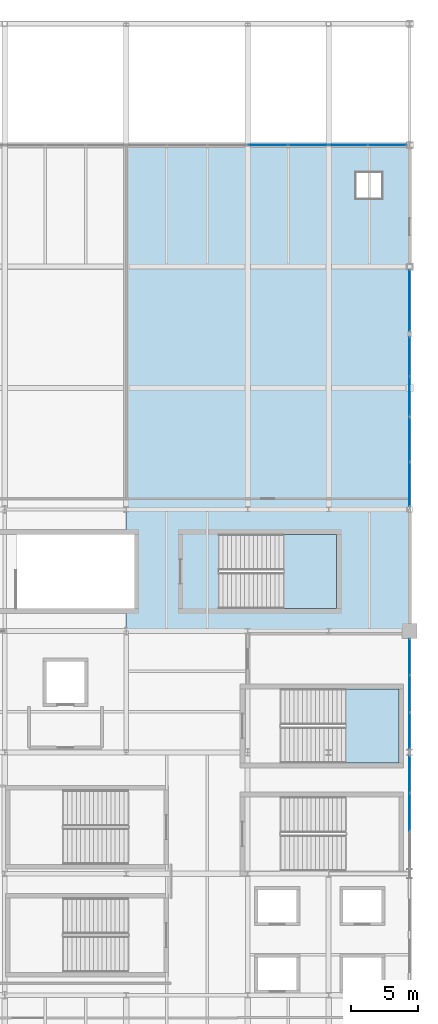
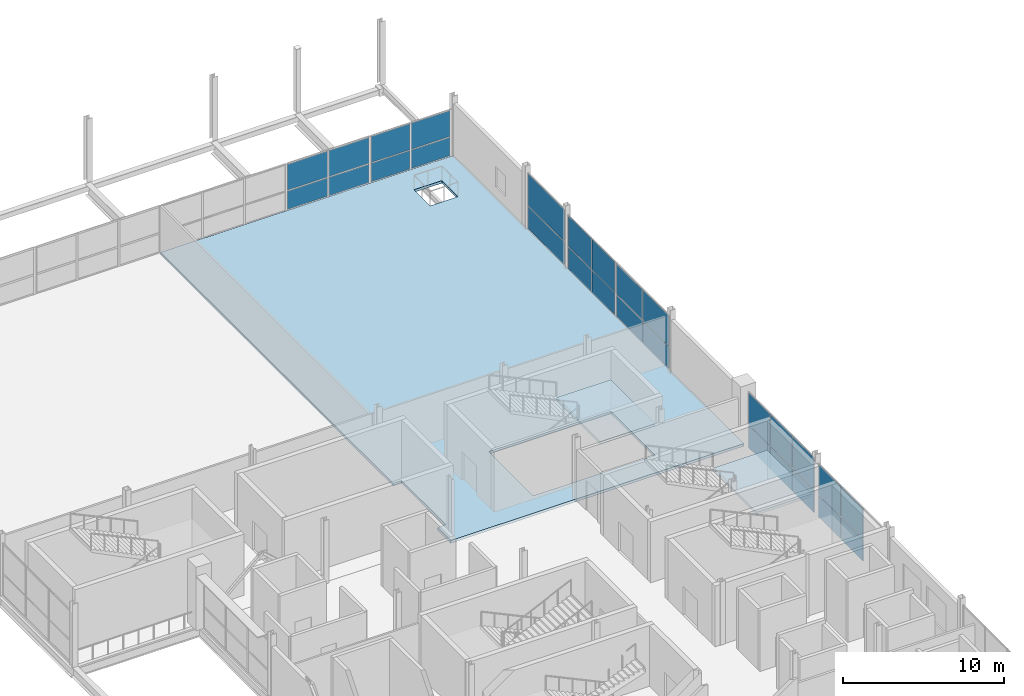
# One storey, part 46 of 69: 28 plates, 3 slabs, 9 elements without a shape of their own.
"""IFC4 building model written with IfcOpenShell, lengths in metres."""

from ifc_helpers import new_model, si_unit, direction, frame, origin, origin_2d, place, context, subcontext, project, spatial, polyline, rectangle, outline, extrude, material, layer, layer_set, type_object, element, aggregate, save


model = new_model("IFC4")

# Units and contexts
model_context = context("Model", 3, precision=1e-05, world=origin(), true_north=direction((0.0, 1.0)))
body_context = subcontext(model_context, "Body", "Model", "MODEL_VIEW")
ifc_project = project(units=[si_unit("LENGTHUNIT", "METRE"), si_unit("AREAUNIT", "SQUARE_METRE"), si_unit("VOLUMEUNIT", "CUBIC_METRE"), si_unit("PLANEANGLEUNIT", "RADIAN"), si_unit("MASSUNIT", "GRAM", prefix="KILO")], contexts=[model_context])

# Site, building, storey
site_placement = place(None, origin())
site = spatial("IfcSite", under=ifc_project, at=site_placement, CompositionType="ELEMENT")
building_placement = place(site_placement, origin())
building = spatial("IfcBuilding", under=site, at=building_placement, Name="Qamarlyn Nura Convention Centre", CompositionType="ELEMENT")
storey_placement = place(building_placement, frame((0.0, 0.0, 15.60009765625)))
storey = spatial("IfcBuildingStorey", under=building, at=storey_placement, Name="L03", CompositionType="ELEMENT", Elevation=15.60009765625)

# Curtain wall, plates
ifc_material_1 = material(Name="Double-silver low-E insulated glass", Category="glass")
ifc_layer_1 = layer(ifc_material_1, 0.179931640625, Name="CW-UNIT-114")
ifc_layer_set_1 = layer_set([ifc_layer_1], Name="Double-silver low-E insulated glass")
curtain_wall_type_1 = type_object("IfcCurtainWallType", Name="CW-UNIT-114", PredefinedType="NOTDEFINED", material=ifc_layer_set_1)
curtain_wall_1_placement = place(storey_placement, origin())
curtain_wall_1 = element("IfcCurtainWall", 1, at=curtain_wall_1_placement, inside=storey, type_object=curtain_wall_type_1, Name="L03 unitised curtain wall EAST-8-1", PredefinedType="NOTDEFINED")
ifc_layer_2 = layer(ifc_material_1, 0.028076171875, Name="CWP-VIS-28")
ifc_layer_set_2 = layer_set([ifc_layer_2], Name="Double-silver low-E insulated glass")
plate_type_1 = type_object("IfcPlateType", Name="CWP-VIS-28", PredefinedType="CURTAIN_PANEL", material=ifc_layer_set_2)
plate_1_placement = place(storey_placement, frame((192.0, 70.36328125, 0.06982421875), z_axis=(0.0, 0.0, 1.0), x_axis=(0.0, -1.0, 0.0)))
plate_1 = element("IfcPlate", 2, at=plate_1_placement, type_object=plate_type_1, Name="CW114 panel 1.1", PredefinedType="CURTAIN_PANEL", context=body_context, shape_type="SweptSolid", body=[
    extrude(rectangle(XDim=2.708251953125, YDim=0.028076171875, at=origin_2d()), origin(), (0.0, 0.0, 1.0), 1.625),
])
plate_2_placement = place(storey_placement, frame((192.0, 70.36328125, 1.76513671875), z_axis=(0.0, 0.0, 1.0), x_axis=(0.0, -1.0, 0.0)))
plate_2 = element("IfcPlate", 3, at=plate_2_placement, type_object=plate_type_1, Name="CW114 panel 1.2", PredefinedType="CURTAIN_PANEL", context=body_context, shape_type="SweptSolid", body=[
    extrude(rectangle(XDim=2.708251953125, YDim=0.028076171875, at=origin_2d()), origin(), (0.0, 0.0, 1.0), 2.283935546875),
])
plate_3_placement = place(storey_placement, frame((192.0, 67.5673828125, 0.06982421875), z_axis=(0.0, 0.0, 1.0), x_axis=(0.0, -1.0, 0.0)))
plate_3 = element("IfcPlate", 4, at=plate_3_placement, type_object=plate_type_1, Name="CW114 panel 2.1", PredefinedType="CURTAIN_PANEL", context=body_context, shape_type="SweptSolid", body=[
    extrude(rectangle(XDim=2.743408203125, YDim=0.028076171875, at=origin_2d()), origin(), (0.0, 0.0, 1.0), 1.625),
])
plate_4_placement = place(storey_placement, frame((192.0, 67.5673828125, 1.76513671875), z_axis=(0.0, 0.0, 1.0), x_axis=(0.0, -1.0, 0.0)))
plate_4 = element("IfcPlate", 5, at=plate_4_placement, type_object=plate_type_1, Name="CW114 panel 2.2", PredefinedType="CURTAIN_PANEL", context=body_context, shape_type="SweptSolid", body=[
    extrude(rectangle(XDim=2.743408203125, YDim=0.028076171875, at=origin_2d()), origin(), (0.0, 0.0, 1.0), 2.283935546875),
])
aggregate(curtain_wall_1, [plate_1, plate_2, plate_3, plate_4])

ifc_layer_3 = layer(ifc_material_1, 0.179931640625, Name="CW-UNIT-113")
ifc_layer_set_3 = layer_set([ifc_layer_3], Name="Double-silver low-E insulated glass")
curtain_wall_type_2 = type_object("IfcCurtainWallType", Name="CW-UNIT-113", PredefinedType="NOTDEFINED", material=ifc_layer_set_3)
curtain_wall_2_placement = place(storey_placement, origin())
curtain_wall_2 = element("IfcCurtainWall", 6, at=curtain_wall_2_placement, inside=storey, type_object=curtain_wall_type_2, Name="L03 unitised curtain wall EAST-9-1", PredefinedType="NOTDEFINED")
plate_5_placement = place(storey_placement, frame((192.0, 79.060791015625, 0.06494140625), z_axis=(0.0, 0.0, 1.0), x_axis=(0.0, -1.0, 0.0)))
plate_5 = element("IfcPlate", 7, at=plate_5_placement, type_object=plate_type_1, Name="CW113 panel 1.1", PredefinedType="CURTAIN_PANEL", context=body_context, shape_type="SweptSolid", body=[
    extrude(rectangle(XDim=2.6484375, YDim=0.028076171875, at=origin_2d()), origin(), (0.0, 0.0, 1.0), 1.702392578125),
])
plate_6_placement = place(storey_placement, frame((192.0, 79.060791015625, 1.83251953125), z_axis=(0.0, 0.0, 1.0), x_axis=(0.0, -1.0, 0.0)))
plate_6 = element("IfcPlate", 8, at=plate_6_placement, type_object=plate_type_1, Name="CW113 panel 1.2", PredefinedType="CURTAIN_PANEL", context=body_context, shape_type="SweptSolid", body=[
    extrude(rectangle(XDim=2.6484375, YDim=0.028076171875, at=origin_2d()), origin(), (0.0, 0.0, 1.0), 2.387451171875),
])
plate_7_placement = place(storey_placement, frame((192.0, 76.331298828125, 0.06494140625), z_axis=(0.0, 0.0, 1.0), x_axis=(0.0, -1.0, 0.0)))
plate_7 = element("IfcPlate", 9, at=plate_7_placement, type_object=plate_type_1, Name="CW113 panel 2.1", PredefinedType="CURTAIN_PANEL", context=body_context, shape_type="SweptSolid", body=[
    extrude(rectangle(XDim=2.680908203125, YDim=0.028076171875, at=origin_2d()), origin(), (0.0, 0.0, 1.0), 1.702392578125),
])
plate_8_placement = place(storey_placement, frame((192.0, 76.331298828125, 1.83251953125), z_axis=(0.0, 0.0, 1.0), x_axis=(0.0, -1.0, 0.0)))
plate_8 = element("IfcPlate", 10, at=plate_8_placement, type_object=plate_type_1, Name="CW113 panel 2.2", PredefinedType="CURTAIN_PANEL", context=body_context, shape_type="SweptSolid", body=[
    extrude(rectangle(XDim=2.680908203125, YDim=0.028076171875, at=origin_2d()), origin(), (0.0, 0.0, 1.0), 2.387451171875),
])
plate_9_placement = place(storey_placement, frame((192.0, 73.6015625, 0.06494140625), z_axis=(0.0, 0.0, 1.0), x_axis=(0.0, -1.0, 0.0)))
plate_9 = element("IfcPlate", 11, at=plate_9_placement, type_object=plate_type_1, Name="CW113 panel 3.1", PredefinedType="CURTAIN_PANEL", context=body_context, shape_type="SweptSolid", body=[
    extrude(rectangle(XDim=2.6484375, YDim=0.028076171875, at=origin_2d()), origin(), (0.0, 0.0, 1.0), 1.702392578125),
])
plate_10_placement = place(storey_placement, frame((192.0, 73.6015625, 1.83251953125), z_axis=(0.0, 0.0, 1.0), x_axis=(0.0, -1.0, 0.0)))
plate_10 = element("IfcPlate", 12, at=plate_10_placement, type_object=plate_type_1, Name="CW113 panel 3.2", PredefinedType="CURTAIN_PANEL", context=body_context, shape_type="SweptSolid", body=[
    extrude(rectangle(XDim=2.6484375, YDim=0.028076171875, at=origin_2d()), origin(), (0.0, 0.0, 1.0), 2.387451171875),
])
aggregate(curtain_wall_2, [plate_5, plate_6, plate_7, plate_8, plate_9, plate_10])

ifc_layer_4 = layer(ifc_material_1, 0.179931640625, Name="CW-UNIT-115")
ifc_layer_set_4 = layer_set([ifc_layer_4], Name="Double-silver low-E insulated glass")
curtain_wall_type_3 = type_object("IfcCurtainWallType", Name="CW-UNIT-115", PredefinedType="NOTDEFINED", material=ifc_layer_set_4)
curtain_wall_3_placement = place(storey_placement, origin())
curtain_wall_3 = element("IfcCurtainWall", 13, at=curtain_wall_3_placement, inside=storey, type_object=curtain_wall_type_3, Name="L03 unitised curtain wall EAST-11-1A", PredefinedType="NOTDEFINED")
plate_11_placement = place(storey_placement, frame((192.0, 101.336669921875, 0.06005859375), z_axis=(0.0, 0.0, 1.0), x_axis=(0.0, -1.0, 0.0)))
plate_11 = element("IfcPlate", 14, at=plate_11_placement, type_object=plate_type_1, Name="CW115 panel 1.1", PredefinedType="CURTAIN_PANEL", context=body_context, shape_type="SweptSolid", body=[
    extrude(rectangle(XDim=2.85693359375, YDim=0.028076171875, at=origin_2d()), origin(), (0.0, 0.0, 1.0), 1.639892578125),
])
plate_12_placement = place(storey_placement, frame((192.0, 101.336669921875, 1.759765625), z_axis=(0.0, 0.0, 1.0), x_axis=(0.0, -1.0, 0.0)))
plate_12 = element("IfcPlate", 15, at=plate_12_placement, type_object=plate_type_1, Name="CW115 panel 1.2", PredefinedType="CURTAIN_PANEL", context=body_context, shape_type="SweptSolid", body=[
    extrude(rectangle(XDim=2.85693359375, YDim=0.028076171875, at=origin_2d()), origin(), (0.0, 0.0, 1.0), 2.299072265625),
])
plate_13_placement = place(storey_placement, frame((192.0, 98.419677734375, 0.06005859375), z_axis=(0.0, 0.0, 1.0), x_axis=(0.0, -1.0, 0.0)))
plate_13 = element("IfcPlate", 16, at=plate_13_placement, type_object=plate_type_1, Name="CW115 panel 2.1", PredefinedType="CURTAIN_PANEL", context=body_context, shape_type="SweptSolid", body=[
    extrude(rectangle(XDim=2.85693359375, YDim=0.028076171875, at=origin_2d()), origin(), (0.0, 0.0, 1.0), 1.639892578125),
])
plate_14_placement = place(storey_placement, frame((192.0, 98.419677734375, 1.759765625), z_axis=(0.0, 0.0, 1.0), x_axis=(0.0, -1.0, 0.0)))
plate_14 = element("IfcPlate", 17, at=plate_14_placement, type_object=plate_type_1, Name="CW115 panel 2.2", PredefinedType="CURTAIN_PANEL", context=body_context, shape_type="SweptSolid", body=[
    extrude(rectangle(XDim=2.85693359375, YDim=0.028076171875, at=origin_2d()), origin(), (0.0, 0.0, 1.0), 2.299072265625),
])
aggregate(curtain_wall_3, [plate_11, plate_12, plate_13, plate_14])

ifc_layer_5 = layer(ifc_material_1, 0.179931640625, Name="CW-UNIT-117")
ifc_layer_set_5 = layer_set([ifc_layer_5], Name="Double-silver low-E insulated glass")
curtain_wall_type_4 = type_object("IfcCurtainWallType", Name="CW-UNIT-117", PredefinedType="NOTDEFINED", material=ifc_layer_set_5)
curtain_wall_4_placement = place(storey_placement, origin())
curtain_wall_4 = element("IfcCurtainWall", 18, at=curtain_wall_4_placement, inside=storey, type_object=curtain_wall_type_4, Name="L03 unitised curtain wall EAST-12-1", PredefinedType="NOTDEFINED")
plate_15_placement = place(storey_placement, frame((192.0, 105.487548828125, 0.06494140625), z_axis=(0.0, 0.0, 1.0), x_axis=(0.0, -1.0, 0.0)))
plate_15 = element("IfcPlate", 19, at=plate_15_placement, type_object=plate_type_1, Name="CW117 panel 1.1", PredefinedType="CURTAIN_PANEL", context=body_context, shape_type="SweptSolid", body=[
    extrude(rectangle(XDim=4.4951171875, YDim=0.028076171875, at=origin_2d()), origin(), (0.0, 0.0, 1.0), 1.702392578125),
])
plate_16_placement = place(storey_placement, frame((192.0, 105.487548828125, 1.83251953125), z_axis=(0.0, 0.0, 1.0), x_axis=(0.0, -1.0, 0.0)))
plate_16 = element("IfcPlate", 20, at=plate_16_placement, type_object=plate_type_1, Name="CW117 panel 1.2", PredefinedType="CURTAIN_PANEL", context=body_context, shape_type="SweptSolid", body=[
    extrude(rectangle(XDim=4.4951171875, YDim=0.028076171875, at=origin_2d()), origin(), (0.0, 0.0, 1.0), 2.387451171875),
])
aggregate(curtain_wall_4, [plate_15, plate_16])

ifc_layer_6 = layer(ifc_material_1, 0.179931640625, Name="CW-UNIT-132")
ifc_layer_set_6 = layer_set([ifc_layer_6], Name="Double-silver low-E insulated glass")
curtain_wall_type_5 = type_object("IfcCurtainWallType", Name="CW-UNIT-132", PredefinedType="NOTDEFINED", material=ifc_layer_set_6)
curtain_wall_5_placement = place(storey_placement, origin())
curtain_wall_5 = element("IfcCurtainWall", 21, at=curtain_wall_5_placement, inside=storey, type_object=curtain_wall_type_5, Name="L03 unitised curtain wall PLN-N5-1", PredefinedType="NOTDEFINED")
plate_17_placement = place(storey_placement, frame((181.517578125, 117.0, 0.06982421875), z_axis=(0.0, 0.0, 1.0), x_axis=(1.0, 0.0, 0.0)))
plate_17 = element("IfcPlate", 22, at=plate_17_placement, type_object=plate_type_1, Name="CW132 panel 1.1", PredefinedType="CURTAIN_PANEL", context=body_context, shape_type="SweptSolid", body=[
    extrude(rectangle(XDim=2.89501953125, YDim=0.028076171875, at=origin_2d()), origin(), (0.0, 0.0, 1.0), 1.39208984375),
])
plate_18_placement = place(storey_placement, frame((181.517578125, 117.0, 1.531982421875), z_axis=(0.0, 0.0, 1.0), x_axis=(1.0, 0.0, 0.0)))
plate_18 = element("IfcPlate", 23, at=plate_18_placement, type_object=plate_type_1, Name="CW132 panel 1.2", PredefinedType="CURTAIN_PANEL", context=body_context, shape_type="SweptSolid", body=[
    extrude(rectangle(XDim=2.89501953125, YDim=0.028076171875, at=origin_2d()), origin(), (0.0, 0.0, 1.0), 1.96142578125),
])
plate_19_placement = place(storey_placement, frame((184.482421875, 117.0, 0.06982421875), z_axis=(0.0, 0.0, 1.0), x_axis=(1.0, 0.0, 0.0)))
plate_19 = element("IfcPlate", 24, at=plate_19_placement, type_object=plate_type_1, Name="CW132 panel 2.1", PredefinedType="CURTAIN_PANEL", context=body_context, shape_type="SweptSolid", body=[
    extrude(rectangle(XDim=2.89501953125, YDim=0.028076171875, at=origin_2d()), origin(), (0.0, 0.0, 1.0), 1.39208984375),
])
plate_20_placement = place(storey_placement, frame((184.482421875, 117.0, 1.531982421875), z_axis=(0.0, 0.0, 1.0), x_axis=(1.0, 0.0, 0.0)))
plate_20 = element("IfcPlate", 25, at=plate_20_placement, type_object=plate_type_1, Name="CW132 panel 2.2", PredefinedType="CURTAIN_PANEL", context=body_context, shape_type="SweptSolid", body=[
    extrude(rectangle(XDim=2.89501953125, YDim=0.028076171875, at=origin_2d()), origin(), (0.0, 0.0, 1.0), 1.96142578125),
])
aggregate(curtain_wall_5, [plate_17, plate_18, plate_19, plate_20])

ifc_layer_7 = layer(ifc_material_1, 0.179931640625, Name="CW-UNIT-133")
ifc_layer_set_7 = layer_set([ifc_layer_7], Name="Double-silver low-E insulated glass")
curtain_wall_type_6 = type_object("IfcCurtainWallType", Name="CW-UNIT-133", PredefinedType="NOTDEFINED", material=ifc_layer_set_7)
curtain_wall_6_placement = place(storey_placement, origin())
curtain_wall_6 = element("IfcCurtainWall", 26, at=curtain_wall_6_placement, inside=storey, type_object=curtain_wall_type_6, Name="L03 unitised curtain wall PLN-N6-1", PredefinedType="NOTDEFINED")
plate_21_placement = place(storey_placement, frame((187.46630859375, 117.0, 0.06494140625), z_axis=(0.0, 0.0, 1.0), x_axis=(1.0, 0.0, 0.0)))
plate_21 = element("IfcPlate", 27, at=plate_21_placement, type_object=plate_type_1, Name="CW133 panel 1.1", PredefinedType="CURTAIN_PANEL", context=body_context, shape_type="SweptSolid", body=[
    extrude(rectangle(XDim=2.802734375, YDim=0.028076171875, at=origin_2d()), origin(), (0.0, 0.0, 1.0), 1.3994140625),
])
plate_22_placement = place(storey_placement, frame((187.46630859375, 117.0, 1.529296875), z_axis=(0.0, 0.0, 1.0), x_axis=(1.0, 0.0, 0.0)))
plate_22 = element("IfcPlate", 28, at=plate_22_placement, type_object=plate_type_1, Name="CW133 panel 1.2", PredefinedType="CURTAIN_PANEL", context=body_context, shape_type="SweptSolid", body=[
    extrude(rectangle(XDim=2.802734375, YDim=0.028076171875, at=origin_2d()), origin(), (0.0, 0.0, 1.0), 1.968994140625),
])
plate_23_placement = place(storey_placement, frame((190.334228515625, 117.0, 0.06494140625), z_axis=(0.0, 0.0, 1.0), x_axis=(1.0, 0.0, 0.0)))
plate_23 = element("IfcPlate", 29, at=plate_23_placement, type_object=plate_type_1, Name="CW133 panel 2.1", PredefinedType="CURTAIN_PANEL", context=body_context, shape_type="SweptSolid", body=[
    extrude(rectangle(XDim=2.802734375, YDim=0.028076171875, at=origin_2d()), origin(), (0.0, 0.0, 1.0), 1.3994140625),
])
plate_24_placement = place(storey_placement, frame((190.334228515625, 117.0, 1.529296875), z_axis=(0.0, 0.0, 1.0), x_axis=(1.0, 0.0, 0.0)))
plate_24 = element("IfcPlate", 30, at=plate_24_placement, type_object=plate_type_1, Name="CW133 panel 2.2", PredefinedType="CURTAIN_PANEL", context=body_context, shape_type="SweptSolid", body=[
    extrude(rectangle(XDim=2.802734375, YDim=0.028076171875, at=origin_2d()), origin(), (0.0, 0.0, 1.0), 1.968994140625),
])
aggregate(curtain_wall_6, [plate_21, plate_22, plate_23, plate_24])

ifc_layer_8 = layer(ifc_material_1, 0.179931640625, Name="CW-UNIT-116")
ifc_layer_set_8 = layer_set([ifc_layer_8], Name="Double-silver low-E insulated glass")
curtain_wall_type_7 = type_object("IfcCurtainWallType", Name="CW-UNIT-116", PredefinedType="NOTDEFINED", material=ifc_layer_set_8)
curtain_wall_7_placement = place(storey_placement, origin())
curtain_wall_7 = element("IfcCurtainWall", 31, at=curtain_wall_7_placement, inside=storey, type_object=curtain_wall_type_7, Name="L03 unitised curtain wall EAST-11-1B", PredefinedType="NOTDEFINED")
ifc_layer_9 = layer(ifc_material_1, 0.031982421875, Name="CWP-VIS-32")
ifc_layer_set_9 = layer_set([ifc_layer_9], Name="Double-silver low-E insulated glass")
plate_type_2 = type_object("IfcPlateType", Name="CWP-VIS-32", PredefinedType="CURTAIN_PANEL", material=ifc_layer_set_9)
plate_25_placement = place(storey_placement, frame((192.0, 95.1708984375, 0.06982421875), z_axis=(0.0, 0.0, 1.0), x_axis=(0.0, -1.0, 0.0)))
plate_25 = element("IfcPlate", 32, at=plate_25_placement, type_object=plate_type_2, Name="CW116 panel 1.1", PredefinedType="CURTAIN_PANEL", context=body_context, shape_type="SweptSolid", body=[
    extrude(rectangle(XDim=3.220703125, YDim=0.031982421875, at=origin_2d()), origin(), (0.0, 0.0, 1.0), 1.625),
])
plate_26_placement = place(storey_placement, frame((192.0, 95.1708984375, 1.76513671875), z_axis=(0.0, 0.0, 1.0), x_axis=(0.0, -1.0, 0.0)))
plate_26 = element("IfcPlate", 33, at=plate_26_placement, type_object=plate_type_2, Name="CW116 panel 1.2", PredefinedType="CURTAIN_PANEL", context=body_context, shape_type="SweptSolid", body=[
    extrude(rectangle(XDim=3.220703125, YDim=0.031982421875, at=origin_2d()), origin(), (0.0, 0.0, 1.0), 2.283935546875),
])
plate_27_placement = place(storey_placement, frame((192.0, 91.88037109375, 0.06982421875), z_axis=(0.0, 0.0, 1.0), x_axis=(0.0, -1.0, 0.0)))
plate_27 = element("IfcPlate", 34, at=plate_27_placement, type_object=plate_type_2, Name="CW116 panel 2.1", PredefinedType="CURTAIN_PANEL", context=body_context, shape_type="SweptSolid", body=[
    extrude(rectangle(XDim=3.220703125, YDim=0.031982421875, at=origin_2d()), origin(), (0.0, 0.0, 1.0), 1.625),
])
plate_28_placement = place(storey_placement, frame((192.0, 91.88037109375, 1.76513671875), z_axis=(0.0, 0.0, 1.0), x_axis=(0.0, -1.0, 0.0)))
plate_28 = element("IfcPlate", 35, at=plate_28_placement, type_object=plate_type_2, Name="CW116 panel 2.2", PredefinedType="CURTAIN_PANEL", context=body_context, shape_type="SweptSolid", body=[
    extrude(rectangle(XDim=3.220703125, YDim=0.031982421875, at=origin_2d()), origin(), (0.0, 0.0, 1.0), 2.283935546875),
])
aggregate(curtain_wall_7, [plate_25, plate_26, plate_27, plate_28])

# Slab
ifc_material_2 = material(Name="Concrete C40/50", Category="concrete")
ifc_layer_10 = layer(ifc_material_2, 0.199951171875, Name="SL-L03")
ifc_layer_set_10 = layer_set([ifc_layer_10], Name="Concrete C40/50")
slab_type_1 = type_object("IfcSlabType", Name="SL-L03", PredefinedType="FLOOR", material=ifc_layer_set_10)
slab_1_placement = place(storey_placement, frame((0.0, 0.0, -0.2001953125)))
element("IfcSlab", 36, at=slab_1_placement, inside=storey, type_object=slab_type_1, Name="L03 floor slab L03-CG2", PredefinedType="FLOOR", context=body_context, shape_type="SweptSolid", body=[
    extrude(outline(polyline([(171.0, 82.64990234375), (171.60009765625, 82.64990234375), (171.60009765625, 88.14990234375), (171.0, 88.14990234375), (171.0, 117.0), (192.0, 117.0), (192.0, 81.0), (171.0, 81.0), (171.0, 82.64990234375)]), holes=[polyline([(188.0, 115.0), (188.0, 113.0), (190.0, 113.0), (190.0, 115.0), (188.0, 115.0)]), polyline([(177.860107421875, 82.64990234375), (186.60009765625, 82.64990234375), (186.60009765625, 88.14990234375), (177.860107421875, 88.14990234375), (177.860107421875, 82.64990234375)])]), origin(), (0.0, 0.0, 1.0), 0.2001953125),
])

# Stair, slab
stair_type = type_object("IfcStairType", Name="STAIR-EXIT-48", PredefinedType="HALF_TURN_STAIR", material=ifc_material_2)
stair_1_placement = place(storey_placement, origin())
stair_1 = element("IfcStair", 37, at=stair_1_placement, inside=storey, type_object=stair_type, Name="L03 Enclosed exit stair ST-14", PredefinedType="HALF_TURN_STAIR")
ifc_layer_11 = layer(ifc_material_2, 0.199951171875, Name="SL-LAND-200")
ifc_layer_set_11 = layer_set([ifc_layer_11], Name="Concrete C40/50")
slab_type_2 = type_object("IfcSlabType", Name="SL-LAND-200", PredefinedType="LANDING", material=ifc_layer_set_11)
slab_2_placement = place(storey_placement, frame((0.0, 0.0, 2.199951171875)))
slab_2 = element("IfcSlab", 38, at=slab_2_placement, type_object=slab_type_2, Name="ST-14 landing 1", PredefinedType="LANDING", context=body_context, shape_type="SweptSolid", body=[
    extrude(outline(polyline([(187.260009765625, 71.199951171875), (191.199951171875, 71.199951171875), (191.199951171875, 76.699951171875), (187.260009765625, 76.699951171875), (187.260009765625, 71.199951171875)])), origin(), (0.0, 0.0, 1.0), 0.199951171875),
])
aggregate(stair_1, [slab_2])

stair_2_placement = place(storey_placement, origin())
stair_2 = element("IfcStair", 39, at=stair_2_placement, inside=storey, type_object=stair_type, Name="L03 Enclosed exit stair ST-17", PredefinedType="HALF_TURN_STAIR")
slab_3_placement = place(storey_placement, frame((0.0, 0.0, 2.199951171875)))
slab_3 = element("IfcSlab", 40, at=slab_3_placement, type_object=slab_type_2, Name="ST-17 landing 1", PredefinedType="LANDING", context=body_context, shape_type="SweptSolid", body=[
    extrude(outline(polyline([(182.659912109375, 82.64990234375), (186.60009765625, 82.64990234375), (186.60009765625, 88.14990234375), (182.659912109375, 88.14990234375), (182.659912109375, 82.64990234375)])), origin(), (0.0, 0.0, 1.0), 0.199951171875),
])
aggregate(stair_2, [slab_3])

save(model, "model.ifc")
